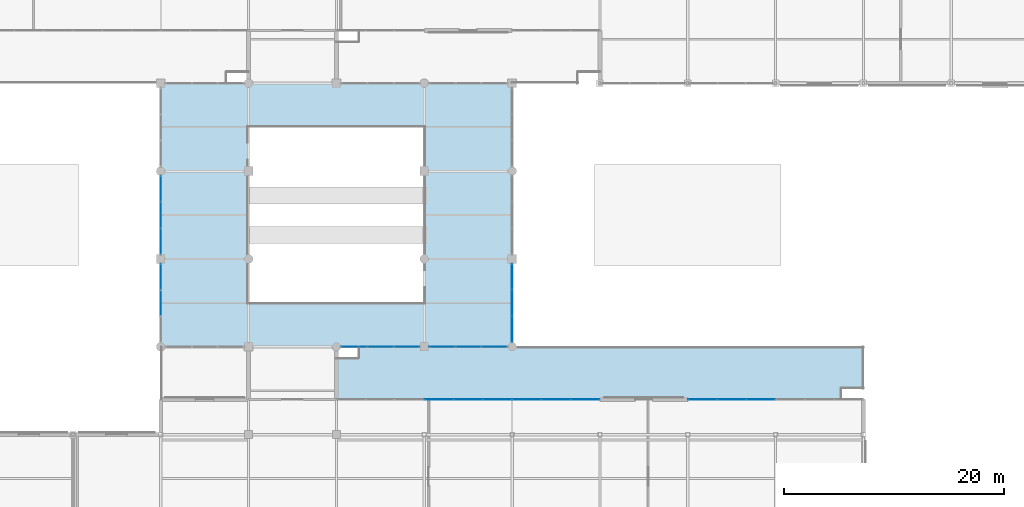
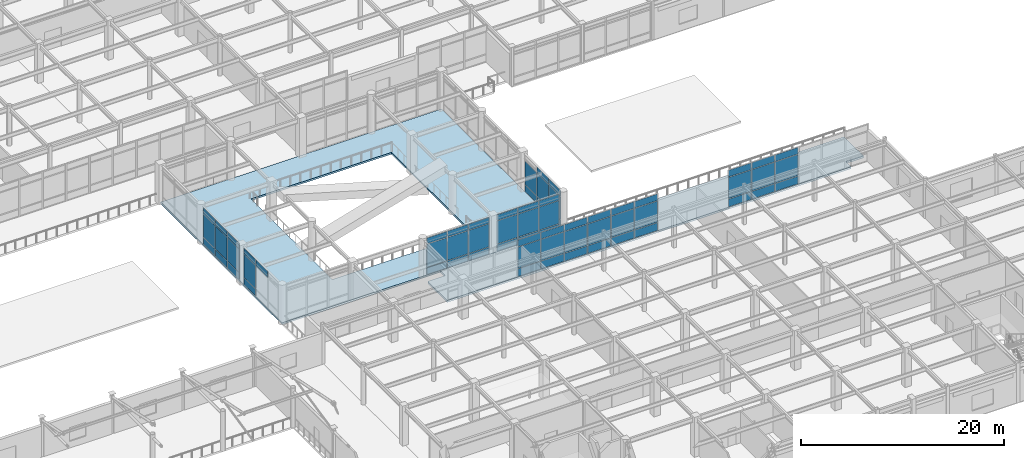
# One storey, part 84 of 117: 66 plates, 2 slabs, 8 elements without a shape of their own.
"""IFC4 building model written with IfcOpenShell, lengths in metres."""

from ifc_helpers import new_model, si_unit, direction, frame, origin, origin_2d, place, context, subcontext, project, spatial, polyline, rectangle, outline, extrude, material, layer, layer_set, type_object, element, aggregate, save


model = new_model("IFC4")

# Units and contexts
model_context = context("Model", 3, precision=1e-05, world=origin(), true_north=direction((0.0, 1.0)))
body_context = subcontext(model_context, "Body", "Model", "MODEL_VIEW")
ifc_project = project(units=[si_unit("LENGTHUNIT", "METRE"), si_unit("AREAUNIT", "SQUARE_METRE"), si_unit("VOLUMEUNIT", "CUBIC_METRE"), si_unit("PLANEANGLEUNIT", "RADIAN"), si_unit("MASSUNIT", "GRAM", prefix="KILO")], contexts=[model_context])

# Site, building, storey
site_placement = place(None, origin())
site = spatial("IfcSite", under=ifc_project, at=site_placement, CompositionType="ELEMENT")
building_placement = place(site_placement, origin())
building = spatial("IfcBuilding", under=site, at=building_placement, Name="Solmirada Galleria", CompositionType="ELEMENT")
storey_placement = place(building_placement, frame((0.0, 0.0, 5.60009765625)))
storey = spatial("IfcBuildingStorey", under=building, at=storey_placement, Name="L01", CompositionType="ELEMENT", Elevation=5.60009765625)

# Curtain wall, plates
ifc_material_1 = material(Name="Impact-resistant low-E double glazing", Category="glass")
curtain_wall_type_1 = type_object("IfcCurtainWallType", Name="CW-FZ3-L01-B3-L072", PredefinedType="NOTDEFINED", material=ifc_material_1)
curtain_wall_1_placement = place(storey_placement, origin())
curtain_wall_1 = element("IfcCurtainWall", 1, at=curtain_wall_1_placement, inside=storey, type_object=curtain_wall_type_1, Name="Terrace and arcade storefront CW-L01-044", PredefinedType="NOTDEFINED")
ifc_layer_1 = layer(ifc_material_1, 0.035888671875)
ifc_layer_set_1 = layer_set([ifc_layer_1], Name="Impact-resistant low-E double glazing")
plate_type_1 = type_object("IfcPlateType", Name="CW-PNL-CW12-T36", PredefinedType="CURTAIN_PANEL", material=ifc_layer_set_1)
plate_1_placement = place(storey_placement, frame((80.0, 52.0, 3.762451171875), z_axis=(0.0, 0.0, 1.0), x_axis=(0.0, 1.0, 0.0)))
plate_1 = element("IfcPlate", 2, at=plate_1_placement, type_object=plate_type_1, Name="CW12 panel 2.3", PredefinedType="CURTAIN_PANEL", context=body_context, shape_type="SweptSolid", body=[
    extrude(rectangle(XDim=2.333740234375, YDim=0.035888671875, at=origin_2d()), origin(), (0.0, 0.0, 1.0), 0.6923828125),
])
plate_2_placement = place(storey_placement, frame((80.0, 54.38232421875, 0.06494140625), z_axis=(0.0, 0.0, 1.0), x_axis=(0.0, 1.0, 0.0)))
plate_2 = element("IfcPlate", 3, at=plate_2_placement, type_object=plate_type_1, Name="CW12 panel 3.1", PredefinedType="CURTAIN_PANEL", context=body_context, shape_type="SweptSolid", body=[
    extrude(rectangle(XDim=2.30126953125, YDim=0.035888671875, at=origin_2d()), origin(), (0.0, 0.0, 1.0), 0.802490234375),
])
plate_3_placement = place(storey_placement, frame((80.0, 54.38232421875, 0.9326171875), z_axis=(0.0, 0.0, 1.0), x_axis=(0.0, 1.0, 0.0)))
plate_3 = element("IfcPlate", 4, at=plate_3_placement, type_object=plate_type_1, Name="CW12 panel 3.2", PredefinedType="CURTAIN_PANEL", context=body_context, shape_type="SweptSolid", body=[
    extrude(rectangle(XDim=2.30126953125, YDim=0.035888671875, at=origin_2d()), origin(), (0.0, 0.0, 1.0), 2.764892578125),
])
plate_4_placement = place(storey_placement, frame((80.0, 54.38232421875, 3.762451171875), z_axis=(0.0, 0.0, 1.0), x_axis=(0.0, 1.0, 0.0)))
plate_4 = element("IfcPlate", 5, at=plate_4_placement, type_object=plate_type_1, Name="CW12 panel 3.3", PredefinedType="CURTAIN_PANEL", context=body_context, shape_type="SweptSolid", body=[
    extrude(rectangle(XDim=2.30126953125, YDim=0.035888671875, at=origin_2d()), origin(), (0.0, 0.0, 1.0), 0.6923828125),
])
aggregate(curtain_wall_1, [plate_1, plate_2, plate_3, plate_4])

curtain_wall_2_placement = place(storey_placement, origin())
curtain_wall_2 = element("IfcCurtainWall", 6, at=curtain_wall_2_placement, inside=storey, type_object=curtain_wall_type_1, Name="Terrace and arcade storefront CW-L01-045", PredefinedType="NOTDEFINED")
plate_5_placement = place(storey_placement, frame((80.0, 57.61767578125, 0.06494140625), z_axis=(0.0, 0.0, 1.0), x_axis=(0.0, 1.0, 0.0)))
plate_5 = element("IfcPlate", 7, at=plate_5_placement, type_object=plate_type_1, Name="CW12 panel 1.1", PredefinedType="CURTAIN_PANEL", context=body_context, shape_type="SweptSolid", body=[
    extrude(rectangle(XDim=2.30126953125, YDim=0.035888671875, at=origin_2d()), origin(), (0.0, 0.0, 1.0), 0.802490234375),
])
plate_6_placement = place(storey_placement, frame((80.0, 57.61767578125, 0.9326171875), z_axis=(0.0, 0.0, 1.0), x_axis=(0.0, 1.0, 0.0)))
plate_6 = element("IfcPlate", 8, at=plate_6_placement, type_object=plate_type_1, Name="CW12 panel 1.2", PredefinedType="CURTAIN_PANEL", context=body_context, shape_type="SweptSolid", body=[
    extrude(rectangle(XDim=2.30126953125, YDim=0.035888671875, at=origin_2d()), origin(), (0.0, 0.0, 1.0), 2.764892578125),
])
plate_7_placement = place(storey_placement, frame((80.0, 57.61767578125, 3.762451171875), z_axis=(0.0, 0.0, 1.0), x_axis=(0.0, 1.0, 0.0)))
plate_7 = element("IfcPlate", 9, at=plate_7_placement, type_object=plate_type_1, Name="CW12 panel 1.3", PredefinedType="CURTAIN_PANEL", context=body_context, shape_type="SweptSolid", body=[
    extrude(rectangle(XDim=2.30126953125, YDim=0.035888671875, at=origin_2d()), origin(), (0.0, 0.0, 1.0), 0.6923828125),
])
plate_8_placement = place(storey_placement, frame((80.0, 60.0, 0.06494140625), z_axis=(0.0, 0.0, 1.0), x_axis=(0.0, 1.0, 0.0)))
plate_8 = element("IfcPlate", 10, at=plate_8_placement, type_object=plate_type_1, Name="CW12 panel 2.1", PredefinedType="CURTAIN_PANEL", context=body_context, shape_type="SweptSolid", body=[
    extrude(rectangle(XDim=2.333740234375, YDim=0.035888671875, at=origin_2d()), origin(), (0.0, 0.0, 1.0), 0.802490234375),
])
plate_9_placement = place(storey_placement, frame((80.0, 60.0, 0.9326171875), z_axis=(0.0, 0.0, 1.0), x_axis=(0.0, 1.0, 0.0)))
plate_9 = element("IfcPlate", 11, at=plate_9_placement, type_object=plate_type_1, Name="CW12 panel 2.2", PredefinedType="CURTAIN_PANEL", context=body_context, shape_type="SweptSolid", body=[
    extrude(rectangle(XDim=2.333740234375, YDim=0.035888671875, at=origin_2d()), origin(), (0.0, 0.0, 1.0), 2.764892578125),
])
plate_10_placement = place(storey_placement, frame((80.0, 60.0, 3.762451171875), z_axis=(0.0, 0.0, 1.0), x_axis=(0.0, 1.0, 0.0)))
plate_10 = element("IfcPlate", 12, at=plate_10_placement, type_object=plate_type_1, Name="CW12 panel 2.3", PredefinedType="CURTAIN_PANEL", context=body_context, shape_type="SweptSolid", body=[
    extrude(rectangle(XDim=2.333740234375, YDim=0.035888671875, at=origin_2d()), origin(), (0.0, 0.0, 1.0), 0.6923828125),
])
plate_11_placement = place(storey_placement, frame((80.0, 62.38232421875, 0.06494140625), z_axis=(0.0, 0.0, 1.0), x_axis=(0.0, 1.0, 0.0)))
plate_11 = element("IfcPlate", 13, at=plate_11_placement, type_object=plate_type_1, Name="CW12 panel 3.1", PredefinedType="CURTAIN_PANEL", context=body_context, shape_type="SweptSolid", body=[
    extrude(rectangle(XDim=2.30126953125, YDim=0.035888671875, at=origin_2d()), origin(), (0.0, 0.0, 1.0), 0.802490234375),
])
plate_12_placement = place(storey_placement, frame((80.0, 62.38232421875, 0.9326171875), z_axis=(0.0, 0.0, 1.0), x_axis=(0.0, 1.0, 0.0)))
plate_12 = element("IfcPlate", 14, at=plate_12_placement, type_object=plate_type_1, Name="CW12 panel 3.2", PredefinedType="CURTAIN_PANEL", context=body_context, shape_type="SweptSolid", body=[
    extrude(rectangle(XDim=2.30126953125, YDim=0.035888671875, at=origin_2d()), origin(), (0.0, 0.0, 1.0), 2.764892578125),
])
plate_13_placement = place(storey_placement, frame((80.0, 62.38232421875, 3.762451171875), z_axis=(0.0, 0.0, 1.0), x_axis=(0.0, 1.0, 0.0)))
plate_13 = element("IfcPlate", 15, at=plate_13_placement, type_object=plate_type_1, Name="CW12 panel 3.3", PredefinedType="CURTAIN_PANEL", context=body_context, shape_type="SweptSolid", body=[
    extrude(rectangle(XDim=2.30126953125, YDim=0.035888671875, at=origin_2d()), origin(), (0.0, 0.0, 1.0), 0.6923828125),
])
aggregate(curtain_wall_2, [plate_5, plate_6, plate_7, plate_8, plate_9, plate_10, plate_11, plate_12, plate_13])

curtain_wall_3_placement = place(storey_placement, origin())
curtain_wall_3 = element("IfcCurtainWall", 16, at=curtain_wall_3_placement, inside=storey, type_object=curtain_wall_type_1, Name="Terrace and arcade storefront CW-L01-070", PredefinedType="NOTDEFINED")
plate_14_placement = place(storey_placement, frame((112.0, 54.38232421875, 0.06494140625), z_axis=(0.0, 0.0, 1.0), x_axis=(0.0, -1.0, 0.0)))
plate_14 = element("IfcPlate", 17, at=plate_14_placement, type_object=plate_type_1, Name="CW12 panel 1.1", PredefinedType="CURTAIN_PANEL", context=body_context, shape_type="SweptSolid", body=[
    extrude(rectangle(XDim=2.30126953125, YDim=0.035888671875, at=origin_2d()), origin(), (0.0, 0.0, 1.0), 0.802490234375),
])
plate_15_placement = place(storey_placement, frame((112.0, 54.38232421875, 0.9326171875), z_axis=(0.0, 0.0, 1.0), x_axis=(0.0, -1.0, 0.0)))
plate_15 = element("IfcPlate", 18, at=plate_15_placement, type_object=plate_type_1, Name="CW12 panel 1.2", PredefinedType="CURTAIN_PANEL", context=body_context, shape_type="SweptSolid", body=[
    extrude(rectangle(XDim=2.30126953125, YDim=0.035888671875, at=origin_2d()), origin(), (0.0, 0.0, 1.0), 2.764892578125),
])
plate_16_placement = place(storey_placement, frame((112.0, 52.0, 0.06494140625), z_axis=(0.0, 0.0, 1.0), x_axis=(0.0, -1.0, 0.0)))
plate_16 = element("IfcPlate", 19, at=plate_16_placement, type_object=plate_type_1, Name="CW12 panel 2.1", PredefinedType="CURTAIN_PANEL", context=body_context, shape_type="SweptSolid", body=[
    extrude(rectangle(XDim=2.333740234375, YDim=0.035888671875, at=origin_2d()), origin(), (0.0, 0.0, 1.0), 0.802490234375),
])
plate_17_placement = place(storey_placement, frame((112.0, 52.0, 0.9326171875), z_axis=(0.0, 0.0, 1.0), x_axis=(0.0, -1.0, 0.0)))
plate_17 = element("IfcPlate", 20, at=plate_17_placement, type_object=plate_type_1, Name="CW12 panel 2.2", PredefinedType="CURTAIN_PANEL", context=body_context, shape_type="SweptSolid", body=[
    extrude(rectangle(XDim=2.333740234375, YDim=0.035888671875, at=origin_2d()), origin(), (0.0, 0.0, 1.0), 2.764892578125),
])
plate_18_placement = place(storey_placement, frame((112.0, 52.0, 3.762451171875), z_axis=(0.0, 0.0, 1.0), x_axis=(0.0, -1.0, 0.0)))
plate_18 = element("IfcPlate", 21, at=plate_18_placement, type_object=plate_type_1, Name="CW12 panel 2.3", PredefinedType="CURTAIN_PANEL", context=body_context, shape_type="SweptSolid", body=[
    extrude(rectangle(XDim=2.333740234375, YDim=0.035888671875, at=origin_2d()), origin(), (0.0, 0.0, 1.0), 0.6923828125),
])
plate_19_placement = place(storey_placement, frame((112.0, 49.61767578125, 0.06494140625), z_axis=(0.0, 0.0, 1.0), x_axis=(0.0, -1.0, 0.0)))
plate_19 = element("IfcPlate", 22, at=plate_19_placement, type_object=plate_type_1, Name="CW12 panel 3.1", PredefinedType="CURTAIN_PANEL", context=body_context, shape_type="SweptSolid", body=[
    extrude(rectangle(XDim=2.30126953125, YDim=0.035888671875, at=origin_2d()), origin(), (0.0, 0.0, 1.0), 0.802490234375),
])
plate_20_placement = place(storey_placement, frame((112.0, 49.61767578125, 0.9326171875), z_axis=(0.0, 0.0, 1.0), x_axis=(0.0, -1.0, 0.0)))
plate_20 = element("IfcPlate", 23, at=plate_20_placement, type_object=plate_type_1, Name="CW12 panel 3.2", PredefinedType="CURTAIN_PANEL", context=body_context, shape_type="SweptSolid", body=[
    extrude(rectangle(XDim=2.30126953125, YDim=0.035888671875, at=origin_2d()), origin(), (0.0, 0.0, 1.0), 2.764892578125),
])
plate_21_placement = place(storey_placement, frame((112.0, 49.61767578125, 3.762451171875), z_axis=(0.0, 0.0, 1.0), x_axis=(0.0, -1.0, 0.0)))
plate_21 = element("IfcPlate", 24, at=plate_21_placement, type_object=plate_type_1, Name="CW12 panel 3.3", PredefinedType="CURTAIN_PANEL", context=body_context, shape_type="SweptSolid", body=[
    extrude(rectangle(XDim=2.30126953125, YDim=0.035888671875, at=origin_2d()), origin(), (0.0, 0.0, 1.0), 0.6923828125),
])
aggregate(curtain_wall_3, [plate_14, plate_15, plate_16, plate_17, plate_18, plate_19, plate_20, plate_21])

curtain_wall_4_placement = place(storey_placement, origin())
curtain_wall_4 = element("IfcCurtainWall", 25, at=curtain_wall_4_placement, inside=storey, type_object=curtain_wall_type_1, Name="Terrace and arcade storefront CW-L01-071", PredefinedType="NOTDEFINED")
plate_22_placement = place(storey_placement, frame((110.38232421875, 48.0, 0.06494140625), z_axis=(0.0, 0.0, 1.0), x_axis=(-1.0, 0.0, 0.0)))
plate_22 = element("IfcPlate", 26, at=plate_22_placement, type_object=plate_type_1, Name="CW12 panel 1.1", PredefinedType="CURTAIN_PANEL", context=body_context, shape_type="SweptSolid", body=[
    extrude(rectangle(XDim=2.30126953125, YDim=0.035888671875, at=origin_2d()), origin(), (0.0, 0.0, 1.0), 0.802490234375),
])
plate_23_placement = place(storey_placement, frame((110.38232421875, 48.0, 0.9326171875), z_axis=(0.0, 0.0, 1.0), x_axis=(-1.0, 0.0, 0.0)))
plate_23 = element("IfcPlate", 27, at=plate_23_placement, type_object=plate_type_1, Name="CW12 panel 1.2", PredefinedType="CURTAIN_PANEL", context=body_context, shape_type="SweptSolid", body=[
    extrude(rectangle(XDim=2.30126953125, YDim=0.035888671875, at=origin_2d()), origin(), (0.0, 0.0, 1.0), 2.764892578125),
])
plate_24_placement = place(storey_placement, frame((110.38232421875, 48.0, 3.762451171875), z_axis=(0.0, 0.0, 1.0), x_axis=(-1.0, 0.0, 0.0)))
plate_24 = element("IfcPlate", 28, at=plate_24_placement, type_object=plate_type_1, Name="CW12 panel 1.3", PredefinedType="CURTAIN_PANEL", context=body_context, shape_type="SweptSolid", body=[
    extrude(rectangle(XDim=2.30126953125, YDim=0.035888671875, at=origin_2d()), origin(), (0.0, 0.0, 1.0), 0.6923828125),
])
plate_25_placement = place(storey_placement, frame((108.0, 48.0, 0.06494140625), z_axis=(0.0, 0.0, 1.0), x_axis=(-1.0, 0.0, 0.0)))
plate_25 = element("IfcPlate", 29, at=plate_25_placement, type_object=plate_type_1, Name="CW12 panel 2.1", PredefinedType="CURTAIN_PANEL", context=body_context, shape_type="SweptSolid", body=[
    extrude(rectangle(XDim=2.333740234375, YDim=0.035888671875, at=origin_2d()), origin(), (0.0, 0.0, 1.0), 0.802490234375),
])
plate_26_placement = place(storey_placement, frame((108.0, 48.0, 0.9326171875), z_axis=(0.0, 0.0, 1.0), x_axis=(-1.0, 0.0, 0.0)))
plate_26 = element("IfcPlate", 30, at=plate_26_placement, type_object=plate_type_1, Name="CW12 panel 2.2", PredefinedType="CURTAIN_PANEL", context=body_context, shape_type="SweptSolid", body=[
    extrude(rectangle(XDim=2.333740234375, YDim=0.035888671875, at=origin_2d()), origin(), (0.0, 0.0, 1.0), 2.764892578125),
])
plate_27_placement = place(storey_placement, frame((108.0, 48.0, 3.762451171875), z_axis=(0.0, 0.0, 1.0), x_axis=(-1.0, 0.0, 0.0)))
plate_27 = element("IfcPlate", 31, at=plate_27_placement, type_object=plate_type_1, Name="CW12 panel 2.3", PredefinedType="CURTAIN_PANEL", context=body_context, shape_type="SweptSolid", body=[
    extrude(rectangle(XDim=2.333740234375, YDim=0.035888671875, at=origin_2d()), origin(), (0.0, 0.0, 1.0), 0.6923828125),
])
plate_28_placement = place(storey_placement, frame((105.61767578125, 48.0, 0.06494140625), z_axis=(0.0, 0.0, 1.0), x_axis=(-1.0, 0.0, 0.0)))
plate_28 = element("IfcPlate", 32, at=plate_28_placement, type_object=plate_type_1, Name="CW12 panel 3.1", PredefinedType="CURTAIN_PANEL", context=body_context, shape_type="SweptSolid", body=[
    extrude(rectangle(XDim=2.30126953125, YDim=0.035888671875, at=origin_2d()), origin(), (0.0, 0.0, 1.0), 0.802490234375),
])
plate_29_placement = place(storey_placement, frame((105.61767578125, 48.0, 0.9326171875), z_axis=(0.0, 0.0, 1.0), x_axis=(-1.0, 0.0, 0.0)))
plate_29 = element("IfcPlate", 33, at=plate_29_placement, type_object=plate_type_1, Name="CW12 panel 3.2", PredefinedType="CURTAIN_PANEL", context=body_context, shape_type="SweptSolid", body=[
    extrude(rectangle(XDim=2.30126953125, YDim=0.035888671875, at=origin_2d()), origin(), (0.0, 0.0, 1.0), 2.764892578125),
])
plate_30_placement = place(storey_placement, frame((105.61767578125, 48.0, 3.762451171875), z_axis=(0.0, 0.0, 1.0), x_axis=(-1.0, 0.0, 0.0)))
plate_30 = element("IfcPlate", 34, at=plate_30_placement, type_object=plate_type_1, Name="CW12 panel 3.3", PredefinedType="CURTAIN_PANEL", context=body_context, shape_type="SweptSolid", body=[
    extrude(rectangle(XDim=2.30126953125, YDim=0.035888671875, at=origin_2d()), origin(), (0.0, 0.0, 1.0), 0.6923828125),
])
aggregate(curtain_wall_4, [plate_22, plate_23, plate_24, plate_25, plate_26, plate_27, plate_28, plate_29, plate_30])

curtain_wall_5_placement = place(storey_placement, origin())
curtain_wall_5 = element("IfcCurtainWall", 35, at=curtain_wall_5_placement, inside=storey, type_object=curtain_wall_type_1, Name="Terrace and arcade storefront CW-L01-072", PredefinedType="NOTDEFINED")
plate_31_placement = place(storey_placement, frame((102.38232421875, 48.0, 0.06494140625), z_axis=(0.0, 0.0, 1.0), x_axis=(-1.0, 0.0, 0.0)))
plate_31 = element("IfcPlate", 36, at=plate_31_placement, type_object=plate_type_1, Name="CW12 panel 1.1", PredefinedType="CURTAIN_PANEL", context=body_context, shape_type="SweptSolid", body=[
    extrude(rectangle(XDim=2.30126953125, YDim=0.035888671875, at=origin_2d()), origin(), (0.0, 0.0, 1.0), 0.802490234375),
])
plate_32_placement = place(storey_placement, frame((102.38232421875, 48.0, 0.9326171875), z_axis=(0.0, 0.0, 1.0), x_axis=(-1.0, 0.0, 0.0)))
plate_32 = element("IfcPlate", 37, at=plate_32_placement, type_object=plate_type_1, Name="CW12 panel 1.2", PredefinedType="CURTAIN_PANEL", context=body_context, shape_type="SweptSolid", body=[
    extrude(rectangle(XDim=2.30126953125, YDim=0.035888671875, at=origin_2d()), origin(), (0.0, 0.0, 1.0), 2.764892578125),
])
plate_33_placement = place(storey_placement, frame((102.38232421875, 48.0, 3.762451171875), z_axis=(0.0, 0.0, 1.0), x_axis=(-1.0, 0.0, 0.0)))
plate_33 = element("IfcPlate", 38, at=plate_33_placement, type_object=plate_type_1, Name="CW12 panel 1.3", PredefinedType="CURTAIN_PANEL", context=body_context, shape_type="SweptSolid", body=[
    extrude(rectangle(XDim=2.30126953125, YDim=0.035888671875, at=origin_2d()), origin(), (0.0, 0.0, 1.0), 0.6923828125),
])
plate_34_placement = place(storey_placement, frame((100.0, 48.0, 0.06494140625), z_axis=(0.0, 0.0, 1.0), x_axis=(-1.0, 0.0, 0.0)))
plate_34 = element("IfcPlate", 39, at=plate_34_placement, type_object=plate_type_1, Name="CW12 panel 2.1", PredefinedType="CURTAIN_PANEL", context=body_context, shape_type="SweptSolid", body=[
    extrude(rectangle(XDim=2.333740234375, YDim=0.035888671875, at=origin_2d()), origin(), (0.0, 0.0, 1.0), 0.802490234375),
])
plate_35_placement = place(storey_placement, frame((100.0, 48.0, 0.9326171875), z_axis=(0.0, 0.0, 1.0), x_axis=(-1.0, 0.0, 0.0)))
plate_35 = element("IfcPlate", 40, at=plate_35_placement, type_object=plate_type_1, Name="CW12 panel 2.2", PredefinedType="CURTAIN_PANEL", context=body_context, shape_type="SweptSolid", body=[
    extrude(rectangle(XDim=2.333740234375, YDim=0.035888671875, at=origin_2d()), origin(), (0.0, 0.0, 1.0), 2.764892578125),
])
plate_36_placement = place(storey_placement, frame((100.0, 48.0, 3.762451171875), z_axis=(0.0, 0.0, 1.0), x_axis=(-1.0, 0.0, 0.0)))
plate_36 = element("IfcPlate", 41, at=plate_36_placement, type_object=plate_type_1, Name="CW12 panel 2.3", PredefinedType="CURTAIN_PANEL", context=body_context, shape_type="SweptSolid", body=[
    extrude(rectangle(XDim=2.333740234375, YDim=0.035888671875, at=origin_2d()), origin(), (0.0, 0.0, 1.0), 0.6923828125),
])
plate_37_placement = place(storey_placement, frame((97.61767578125, 48.0, 0.06494140625), z_axis=(0.0, 0.0, 1.0), x_axis=(-1.0, 0.0, 0.0)))
plate_37 = element("IfcPlate", 42, at=plate_37_placement, type_object=plate_type_1, Name="CW12 panel 3.1", PredefinedType="CURTAIN_PANEL", context=body_context, shape_type="SweptSolid", body=[
    extrude(rectangle(XDim=2.30126953125, YDim=0.035888671875, at=origin_2d()), origin(), (0.0, 0.0, 1.0), 0.802490234375),
])
plate_38_placement = place(storey_placement, frame((97.61767578125, 48.0, 0.9326171875), z_axis=(0.0, 0.0, 1.0), x_axis=(-1.0, 0.0, 0.0)))
plate_38 = element("IfcPlate", 43, at=plate_38_placement, type_object=plate_type_1, Name="CW12 panel 3.2", PredefinedType="CURTAIN_PANEL", context=body_context, shape_type="SweptSolid", body=[
    extrude(rectangle(XDim=2.30126953125, YDim=0.035888671875, at=origin_2d()), origin(), (0.0, 0.0, 1.0), 2.764892578125),
])
plate_39_placement = place(storey_placement, frame((97.61767578125, 48.0, 3.762451171875), z_axis=(0.0, 0.0, 1.0), x_axis=(-1.0, 0.0, 0.0)))
plate_39 = element("IfcPlate", 44, at=plate_39_placement, type_object=plate_type_1, Name="CW12 panel 3.3", PredefinedType="CURTAIN_PANEL", context=body_context, shape_type="SweptSolid", body=[
    extrude(rectangle(XDim=2.30126953125, YDim=0.035888671875, at=origin_2d()), origin(), (0.0, 0.0, 1.0), 0.6923828125),
])
aggregate(curtain_wall_5, [plate_31, plate_32, plate_33, plate_34, plate_35, plate_36, plate_37, plate_38, plate_39])

curtain_wall_type_2 = type_object("IfcCurtainWallType", Name="CW-FZ5-L01-B3-L080", PredefinedType="NOTDEFINED", material=ifc_material_1)
curtain_wall_6_placement = place(storey_placement, origin())
curtain_wall_6 = element("IfcCurtainWall", 45, at=curtain_wall_6_placement, inside=storey, type_object=curtain_wall_type_2, Name="Terrace and arcade storefront CW-L01-074", PredefinedType="NOTDEFINED")
ifc_layer_2 = layer(ifc_material_1, 0.031982421875)
ifc_layer_set_2 = layer_set([ifc_layer_2], Name="Impact-resistant low-E double glazing")
plate_type_2 = type_object("IfcPlateType", Name="CW-PNL-CW17-T32", PredefinedType="CURTAIN_PANEL", material=ifc_layer_set_2)
plate_40_placement = place(storey_placement, frame((105.349609375, 43.199951171875, 0.06494140625), z_axis=(0.0, 0.0, 1.0), x_axis=(1.0, 0.0, 0.0)))
plate_40 = element("IfcPlate", 46, at=plate_40_placement, type_object=plate_type_2, Name="CW17 panel 1.1", PredefinedType="CURTAIN_PANEL", context=body_context, shape_type="SweptSolid", body=[
    extrude(rectangle(XDim=2.569091796875, YDim=0.031982421875, at=origin_2d()), origin(), (0.0, 0.0, 1.0), 0.922607421875),
])
plate_41_placement = place(storey_placement, frame((105.349609375, 43.199951171875, 1.052490234375), z_axis=(0.0, 0.0, 1.0), x_axis=(1.0, 0.0, 0.0)))
plate_41 = element("IfcPlate", 47, at=plate_41_placement, type_object=plate_type_2, Name="CW17 panel 1.2", PredefinedType="CURTAIN_PANEL", context=body_context, shape_type="SweptSolid", body=[
    extrude(rectangle(XDim=2.569091796875, YDim=0.031982421875, at=origin_2d()), origin(), (0.0, 0.0, 1.0), 2.544921875),
])
plate_42_placement = place(storey_placement, frame((105.349609375, 43.199951171875, 3.662353515625), z_axis=(0.0, 0.0, 1.0), x_axis=(1.0, 0.0, 0.0)))
plate_42 = element("IfcPlate", 48, at=plate_42_placement, type_object=plate_type_2, Name="CW17 panel 1.3", PredefinedType="CURTAIN_PANEL", context=body_context, shape_type="SweptSolid", body=[
    extrude(rectangle(XDim=2.569091796875, YDim=0.031982421875, at=origin_2d()), origin(), (0.0, 0.0, 1.0), 0.79248046875),
])
plate_43_placement = place(storey_placement, frame((108.0, 43.199951171875, 0.06494140625), z_axis=(0.0, 0.0, 1.0), x_axis=(1.0, 0.0, 0.0)))
plate_43 = element("IfcPlate", 49, at=plate_43_placement, type_object=plate_type_2, Name="CW17 panel 2.1", PredefinedType="CURTAIN_PANEL", context=body_context, shape_type="SweptSolid", body=[
    extrude(rectangle(XDim=2.6015625, YDim=0.031982421875, at=origin_2d()), origin(), (0.0, 0.0, 1.0), 0.922607421875),
])
plate_44_placement = place(storey_placement, frame((108.0, 43.199951171875, 1.052490234375), z_axis=(0.0, 0.0, 1.0), x_axis=(1.0, 0.0, 0.0)))
plate_44 = element("IfcPlate", 50, at=plate_44_placement, type_object=plate_type_2, Name="CW17 panel 2.2", PredefinedType="CURTAIN_PANEL", context=body_context, shape_type="SweptSolid", body=[
    extrude(rectangle(XDim=2.6015625, YDim=0.031982421875, at=origin_2d()), origin(), (0.0, 0.0, 1.0), 2.544921875),
])
plate_45_placement = place(storey_placement, frame((108.0, 43.199951171875, 3.662353515625), z_axis=(0.0, 0.0, 1.0), x_axis=(1.0, 0.0, 0.0)))
plate_45 = element("IfcPlate", 51, at=plate_45_placement, type_object=plate_type_2, Name="CW17 panel 2.3", PredefinedType="CURTAIN_PANEL", context=body_context, shape_type="SweptSolid", body=[
    extrude(rectangle(XDim=2.6015625, YDim=0.031982421875, at=origin_2d()), origin(), (0.0, 0.0, 1.0), 0.79248046875),
])
plate_46_placement = place(storey_placement, frame((110.650390625, 43.199951171875, 0.06494140625), z_axis=(0.0, 0.0, 1.0), x_axis=(1.0, 0.0, 0.0)))
plate_46 = element("IfcPlate", 52, at=plate_46_placement, type_object=plate_type_2, Name="CW17 panel 3.1", PredefinedType="CURTAIN_PANEL", context=body_context, shape_type="SweptSolid", body=[
    extrude(rectangle(XDim=2.569091796875, YDim=0.031982421875, at=origin_2d()), origin(), (0.0, 0.0, 1.0), 0.922607421875),
])
plate_47_placement = place(storey_placement, frame((110.650390625, 43.199951171875, 1.052490234375), z_axis=(0.0, 0.0, 1.0), x_axis=(1.0, 0.0, 0.0)))
plate_47 = element("IfcPlate", 53, at=plate_47_placement, type_object=plate_type_2, Name="CW17 panel 3.2", PredefinedType="CURTAIN_PANEL", context=body_context, shape_type="SweptSolid", body=[
    extrude(rectangle(XDim=2.569091796875, YDim=0.031982421875, at=origin_2d()), origin(), (0.0, 0.0, 1.0), 2.544921875),
])
plate_48_placement = place(storey_placement, frame((110.650390625, 43.199951171875, 3.662353515625), z_axis=(0.0, 0.0, 1.0), x_axis=(1.0, 0.0, 0.0)))
plate_48 = element("IfcPlate", 54, at=plate_48_placement, type_object=plate_type_2, Name="CW17 panel 3.3", PredefinedType="CURTAIN_PANEL", context=body_context, shape_type="SweptSolid", body=[
    extrude(rectangle(XDim=2.569091796875, YDim=0.031982421875, at=origin_2d()), origin(), (0.0, 0.0, 1.0), 0.79248046875),
])
aggregate(curtain_wall_6, [plate_40, plate_41, plate_42, plate_43, plate_44, plate_45, plate_46, plate_47, plate_48])

curtain_wall_7_placement = place(storey_placement, origin())
curtain_wall_7 = element("IfcCurtainWall", 55, at=curtain_wall_7_placement, inside=storey, type_object=curtain_wall_type_2, Name="Terrace and arcade storefront CW-L01-075", PredefinedType="NOTDEFINED")
plate_49_placement = place(storey_placement, frame((113.349609375, 43.199951171875, 0.06494140625), z_axis=(0.0, 0.0, 1.0), x_axis=(1.0, 0.0, 0.0)))
plate_49 = element("IfcPlate", 56, at=plate_49_placement, type_object=plate_type_2, Name="CW17 panel 1.1", PredefinedType="CURTAIN_PANEL", context=body_context, shape_type="SweptSolid", body=[
    extrude(rectangle(XDim=2.569091796875, YDim=0.031982421875, at=origin_2d()), origin(), (0.0, 0.0, 1.0), 0.922607421875),
])
plate_50_placement = place(storey_placement, frame((113.349609375, 43.199951171875, 1.052490234375), z_axis=(0.0, 0.0, 1.0), x_axis=(1.0, 0.0, 0.0)))
plate_50 = element("IfcPlate", 57, at=plate_50_placement, type_object=plate_type_2, Name="CW17 panel 1.2", PredefinedType="CURTAIN_PANEL", context=body_context, shape_type="SweptSolid", body=[
    extrude(rectangle(XDim=2.569091796875, YDim=0.031982421875, at=origin_2d()), origin(), (0.0, 0.0, 1.0), 2.544921875),
])
plate_51_placement = place(storey_placement, frame((113.349609375, 43.199951171875, 3.662353515625), z_axis=(0.0, 0.0, 1.0), x_axis=(1.0, 0.0, 0.0)))
plate_51 = element("IfcPlate", 58, at=plate_51_placement, type_object=plate_type_2, Name="CW17 panel 1.3", PredefinedType="CURTAIN_PANEL", context=body_context, shape_type="SweptSolid", body=[
    extrude(rectangle(XDim=2.569091796875, YDim=0.031982421875, at=origin_2d()), origin(), (0.0, 0.0, 1.0), 0.79248046875),
])
plate_52_placement = place(storey_placement, frame((116.0, 43.199951171875, 0.06494140625), z_axis=(0.0, 0.0, 1.0), x_axis=(1.0, 0.0, 0.0)))
plate_52 = element("IfcPlate", 59, at=plate_52_placement, type_object=plate_type_2, Name="CW17 panel 2.1", PredefinedType="CURTAIN_PANEL", context=body_context, shape_type="SweptSolid", body=[
    extrude(rectangle(XDim=2.6015625, YDim=0.031982421875, at=origin_2d()), origin(), (0.0, 0.0, 1.0), 0.922607421875),
])
plate_53_placement = place(storey_placement, frame((116.0, 43.199951171875, 1.052490234375), z_axis=(0.0, 0.0, 1.0), x_axis=(1.0, 0.0, 0.0)))
plate_53 = element("IfcPlate", 60, at=plate_53_placement, type_object=plate_type_2, Name="CW17 panel 2.2", PredefinedType="CURTAIN_PANEL", context=body_context, shape_type="SweptSolid", body=[
    extrude(rectangle(XDim=2.6015625, YDim=0.031982421875, at=origin_2d()), origin(), (0.0, 0.0, 1.0), 2.544921875),
])
plate_54_placement = place(storey_placement, frame((116.0, 43.199951171875, 3.662353515625), z_axis=(0.0, 0.0, 1.0), x_axis=(1.0, 0.0, 0.0)))
plate_54 = element("IfcPlate", 61, at=plate_54_placement, type_object=plate_type_2, Name="CW17 panel 2.3", PredefinedType="CURTAIN_PANEL", context=body_context, shape_type="SweptSolid", body=[
    extrude(rectangle(XDim=2.6015625, YDim=0.031982421875, at=origin_2d()), origin(), (0.0, 0.0, 1.0), 0.79248046875),
])
plate_55_placement = place(storey_placement, frame((118.650390625, 43.199951171875, 0.06494140625), z_axis=(0.0, 0.0, 1.0), x_axis=(1.0, 0.0, 0.0)))
plate_55 = element("IfcPlate", 62, at=plate_55_placement, type_object=plate_type_2, Name="CW17 panel 3.1", PredefinedType="CURTAIN_PANEL", context=body_context, shape_type="SweptSolid", body=[
    extrude(rectangle(XDim=2.569091796875, YDim=0.031982421875, at=origin_2d()), origin(), (0.0, 0.0, 1.0), 0.922607421875),
])
plate_56_placement = place(storey_placement, frame((118.650390625, 43.199951171875, 1.052490234375), z_axis=(0.0, 0.0, 1.0), x_axis=(1.0, 0.0, 0.0)))
plate_56 = element("IfcPlate", 63, at=plate_56_placement, type_object=plate_type_2, Name="CW17 panel 3.2", PredefinedType="CURTAIN_PANEL", context=body_context, shape_type="SweptSolid", body=[
    extrude(rectangle(XDim=2.569091796875, YDim=0.031982421875, at=origin_2d()), origin(), (0.0, 0.0, 1.0), 2.544921875),
])
plate_57_placement = place(storey_placement, frame((118.650390625, 43.199951171875, 3.662353515625), z_axis=(0.0, 0.0, 1.0), x_axis=(1.0, 0.0, 0.0)))
plate_57 = element("IfcPlate", 64, at=plate_57_placement, type_object=plate_type_2, Name="CW17 panel 3.3", PredefinedType="CURTAIN_PANEL", context=body_context, shape_type="SweptSolid", body=[
    extrude(rectangle(XDim=2.569091796875, YDim=0.031982421875, at=origin_2d()), origin(), (0.0, 0.0, 1.0), 0.79248046875),
])
aggregate(curtain_wall_7, [plate_49, plate_50, plate_51, plate_52, plate_53, plate_54, plate_55, plate_56, plate_57])

curtain_wall_8_placement = place(storey_placement, origin())
curtain_wall_8 = element("IfcCurtainWall", 65, at=curtain_wall_8_placement, inside=storey, type_object=curtain_wall_type_2, Name="Terrace and arcade storefront CW-L01-076", PredefinedType="NOTDEFINED")
plate_58_placement = place(storey_placement, frame((129.349609375, 43.199951171875, 0.06494140625), z_axis=(0.0, 0.0, 1.0), x_axis=(1.0, 0.0, 0.0)))
plate_58 = element("IfcPlate", 66, at=plate_58_placement, type_object=plate_type_2, Name="CW17 panel 1.1", PredefinedType="CURTAIN_PANEL", context=body_context, shape_type="SweptSolid", body=[
    extrude(rectangle(XDim=2.569091796875, YDim=0.031982421875, at=origin_2d()), origin(), (0.0, 0.0, 1.0), 0.922607421875),
])
plate_59_placement = place(storey_placement, frame((129.349609375, 43.199951171875, 1.052490234375), z_axis=(0.0, 0.0, 1.0), x_axis=(1.0, 0.0, 0.0)))
plate_59 = element("IfcPlate", 67, at=plate_59_placement, type_object=plate_type_2, Name="CW17 panel 1.2", PredefinedType="CURTAIN_PANEL", context=body_context, shape_type="SweptSolid", body=[
    extrude(rectangle(XDim=2.569091796875, YDim=0.031982421875, at=origin_2d()), origin(), (0.0, 0.0, 1.0), 2.544921875),
])
plate_60_placement = place(storey_placement, frame((129.349609375, 43.199951171875, 3.662353515625), z_axis=(0.0, 0.0, 1.0), x_axis=(1.0, 0.0, 0.0)))
plate_60 = element("IfcPlate", 68, at=plate_60_placement, type_object=plate_type_2, Name="CW17 panel 1.3", PredefinedType="CURTAIN_PANEL", context=body_context, shape_type="SweptSolid", body=[
    extrude(rectangle(XDim=2.569091796875, YDim=0.031982421875, at=origin_2d()), origin(), (0.0, 0.0, 1.0), 0.79248046875),
])
plate_61_placement = place(storey_placement, frame((132.0, 43.199951171875, 0.06494140625), z_axis=(0.0, 0.0, 1.0), x_axis=(1.0, 0.0, 0.0)))
plate_61 = element("IfcPlate", 69, at=plate_61_placement, type_object=plate_type_2, Name="CW17 panel 2.1", PredefinedType="CURTAIN_PANEL", context=body_context, shape_type="SweptSolid", body=[
    extrude(rectangle(XDim=2.6015625, YDim=0.031982421875, at=origin_2d()), origin(), (0.0, 0.0, 1.0), 0.922607421875),
])
plate_62_placement = place(storey_placement, frame((132.0, 43.199951171875, 1.052490234375), z_axis=(0.0, 0.0, 1.0), x_axis=(1.0, 0.0, 0.0)))
plate_62 = element("IfcPlate", 70, at=plate_62_placement, type_object=plate_type_2, Name="CW17 panel 2.2", PredefinedType="CURTAIN_PANEL", context=body_context, shape_type="SweptSolid", body=[
    extrude(rectangle(XDim=2.6015625, YDim=0.031982421875, at=origin_2d()), origin(), (0.0, 0.0, 1.0), 2.544921875),
])
plate_63_placement = place(storey_placement, frame((132.0, 43.199951171875, 3.662353515625), z_axis=(0.0, 0.0, 1.0), x_axis=(1.0, 0.0, 0.0)))
plate_63 = element("IfcPlate", 71, at=plate_63_placement, type_object=plate_type_2, Name="CW17 panel 2.3", PredefinedType="CURTAIN_PANEL", context=body_context, shape_type="SweptSolid", body=[
    extrude(rectangle(XDim=2.6015625, YDim=0.031982421875, at=origin_2d()), origin(), (0.0, 0.0, 1.0), 0.79248046875),
])
plate_64_placement = place(storey_placement, frame((134.650390625, 43.199951171875, 0.06494140625), z_axis=(0.0, 0.0, 1.0), x_axis=(1.0, 0.0, 0.0)))
plate_64 = element("IfcPlate", 72, at=plate_64_placement, type_object=plate_type_2, Name="CW17 panel 3.1", PredefinedType="CURTAIN_PANEL", context=body_context, shape_type="SweptSolid", body=[
    extrude(rectangle(XDim=2.569091796875, YDim=0.031982421875, at=origin_2d()), origin(), (0.0, 0.0, 1.0), 0.922607421875),
])
plate_65_placement = place(storey_placement, frame((134.650390625, 43.199951171875, 1.052490234375), z_axis=(0.0, 0.0, 1.0), x_axis=(1.0, 0.0, 0.0)))
plate_65 = element("IfcPlate", 73, at=plate_65_placement, type_object=plate_type_2, Name="CW17 panel 3.2", PredefinedType="CURTAIN_PANEL", context=body_context, shape_type="SweptSolid", body=[
    extrude(rectangle(XDim=2.569091796875, YDim=0.031982421875, at=origin_2d()), origin(), (0.0, 0.0, 1.0), 2.544921875),
])
plate_66_placement = place(storey_placement, frame((134.650390625, 43.199951171875, 3.662353515625), z_axis=(0.0, 0.0, 1.0), x_axis=(1.0, 0.0, 0.0)))
plate_66 = element("IfcPlate", 74, at=plate_66_placement, type_object=plate_type_2, Name="CW17 panel 3.3", PredefinedType="CURTAIN_PANEL", context=body_context, shape_type="SweptSolid", body=[
    extrude(rectangle(XDim=2.569091796875, YDim=0.031982421875, at=origin_2d()), origin(), (0.0, 0.0, 1.0), 0.79248046875),
])
aggregate(curtain_wall_8, [plate_58, plate_59, plate_60, plate_61, plate_62, plate_63, plate_64, plate_65, plate_66])

# Slabs
ifc_material_2 = material(Name="Concrete C35/45", Category="concrete")
ifc_layer_3 = layer(ifc_material_2, 0.219970703125)
ifc_layer_set_3 = layer_set([ifc_layer_3], Name="Concrete C35/45")
slab_type_1 = type_object("IfcSlabType", Name="SLB-FLOOR-220", PredefinedType="FLOOR", material=ifc_layer_set_3)
slab_1_placement = place(storey_placement, frame((0.0, 0.0, -0.22021484375)))
element("IfcSlab", 75, at=slab_1_placement, inside=storey, type_object=slab_type_1, Name="Slab L01-ATRIUM", PredefinedType="FLOOR", context=body_context, shape_type="SweptSolid", body=[
    extrude(outline(polyline([(80.0, 48.0), (112.0, 48.0), (112.0, 72.0), (80.0, 72.0), (80.0, 48.0)]), holes=[polyline([(88.0, 52.0), (104.0, 52.0), (104.0, 68.0), (88.0, 68.0), (88.0, 52.0)])]), origin(), (0.0, 0.0, 1.0), 0.22021484375),
])
ifc_layer_4 = layer(ifc_material_2, 0.239990234375)
ifc_layer_set_4 = layer_set([ifc_layer_4], Name="Concrete C35/45")
slab_type_2 = type_object("IfcSlabType", Name="SLB-TERR-240", PredefinedType="FLOOR", material=ifc_layer_set_4)
slab_2_placement = place(storey_placement, frame((0.0, 0.0, -0.239990234375)))
element("IfcSlab", 76, at=slab_2_placement, inside=storey, type_object=slab_type_2, Name="Slab L01-TERR-SE", PredefinedType="FLOOR", context=body_context, shape_type="SweptSolid", body=[
    extrude(outline(polyline([(96.0, 43.199951171875), (142.0, 43.199951171875), (142.0, 44.199951171875), (144.0, 44.199951171875), (144.0, 48.0), (98.0, 48.0), (98.0, 47.0), (96.0, 47.0), (96.0, 43.199951171875)])), origin(), (0.0, 0.0, 1.0), 0.239990234375),
])

save(model, "model.ifc")
